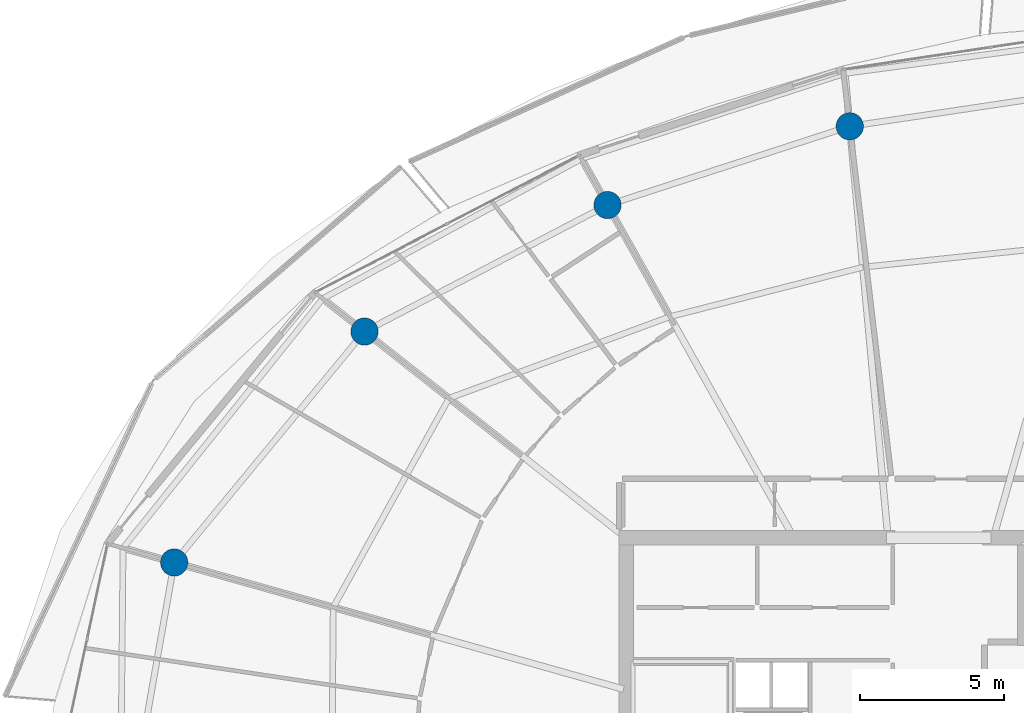
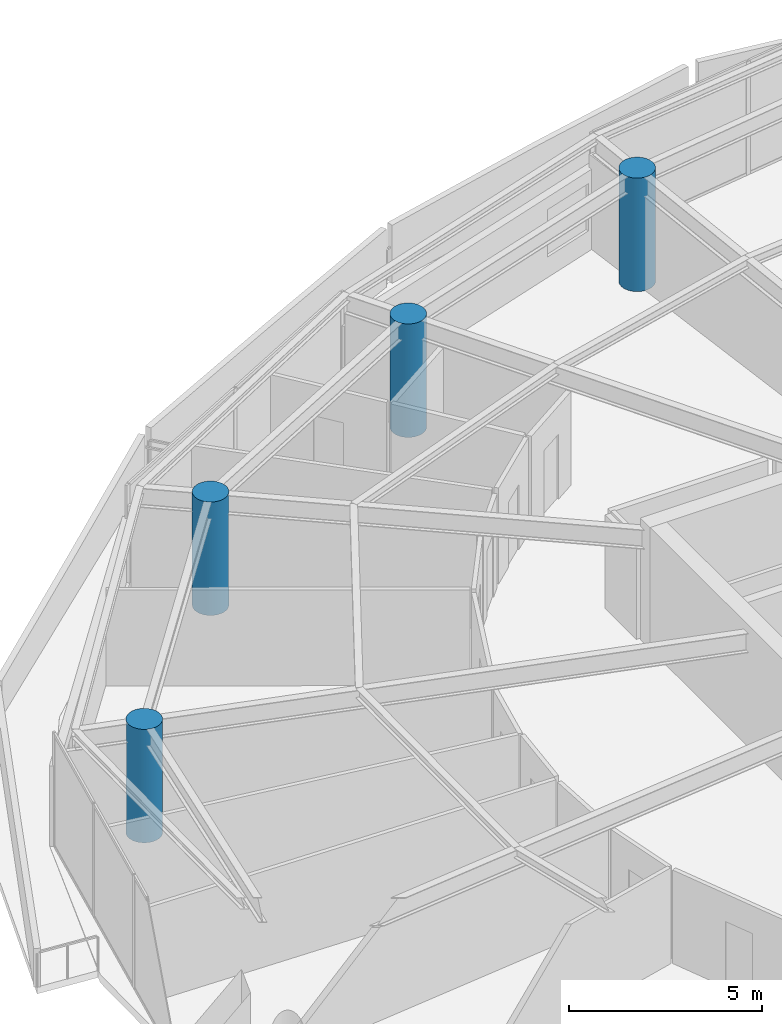
# One storey, part 4 of 30: 4 columns.
"""IFC4 building model written with IfcOpenShell, lengths in metres."""

from ifc_helpers import new_model, si_unit, direction, frame, origin, origin_2d, place, context, subcontext, project, spatial, circle, extrude, material, material_profile, profile_set, type_object, element, save


model = new_model("IFC4")

# Units and contexts
model_context = context("Model", 3, precision=1e-05, world=origin(), true_north=direction((0.0, 1.0)))
body_context = subcontext(model_context, "Body", "Model", "MODEL_VIEW")
ifc_project = project(units=[si_unit("LENGTHUNIT", "METRE"), si_unit("AREAUNIT", "SQUARE_METRE"), si_unit("VOLUMEUNIT", "CUBIC_METRE"), si_unit("PLANEANGLEUNIT", "RADIAN"), si_unit("MASSUNIT", "GRAM", prefix="KILO")], contexts=[model_context])

# Site, building, storey
site_placement = place(None, origin())
site = spatial("IfcSite", under=ifc_project, at=site_placement, CompositionType="ELEMENT")
building_placement = place(site_placement, origin())
building = spatial("IfcBuilding", under=site, at=building_placement, Name="Kazma Halo Residences", CompositionType="ELEMENT")
storey_placement = place(building_placement, frame((0.0, 0.0, 279.050048828125)))
storey = spatial("IfcBuildingStorey", under=building, at=storey_placement, Name="L70", CompositionType="ELEMENT", Elevation=279.050048828125)

# Columns
ifc_material = material(Name="Concrete C60/75", Category="concrete")
ifc_material_profile = material_profile(ifc_material, circle(Radius=0.47509765625, at=origin_2d()), Name="CIRC950")
ifc_profile_set = profile_set([ifc_material_profile], Name="Concrete C60/75")
column_type = type_object("IfcColumnType", Name="COL-PERIM-950", PredefinedType="COLUMN", material=ifc_profile_set)
for number, where, z_axis, x_axis, name in (
    (1, (45.32861328125, 64.57080078125, 0.0), (0.0, 0.0, 1.0), (1.0, 0.0, 0.0), "L70 perimeter ring column P04"),
    (2, (36.89453125, 61.830322265625, 0.0), (0.0, 0.0, 1.0), (1.0, 0.0, 0.0), "L70 perimeter ring column P05"),
    (3, (28.433837890625, 57.4248046875, 0.0), (0.0, 0.0, 1.0), (1.0, 0.0, 0.0), "L70 perimeter ring column P06"),
    (4, (21.80908203125, 49.38671875, 0.0), (0.0, 0.0, 1.0), (1.0, 0.0, 0.0), "L70 perimeter ring column P07"),
):
    element("IfcColumn", number, at=place(storey_placement, frame(where, z_axis=z_axis, x_axis=x_axis)), inside=storey, type_object=column_type, Name=name, PredefinedType="COLUMN", context=body_context, shape_type="SweptSolid", body=[
        extrude(circle(Radius=0.47509765625, at=origin_2d()), origin(), (0.0, 0.0, 1.0), 3.58984375),
    ])

save(model, "model.ifc")
